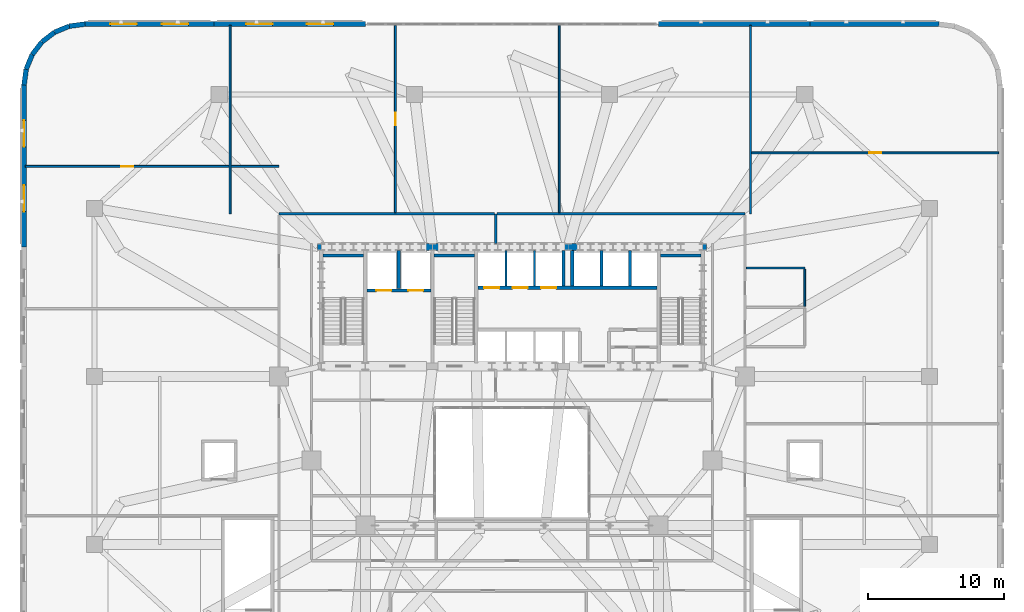
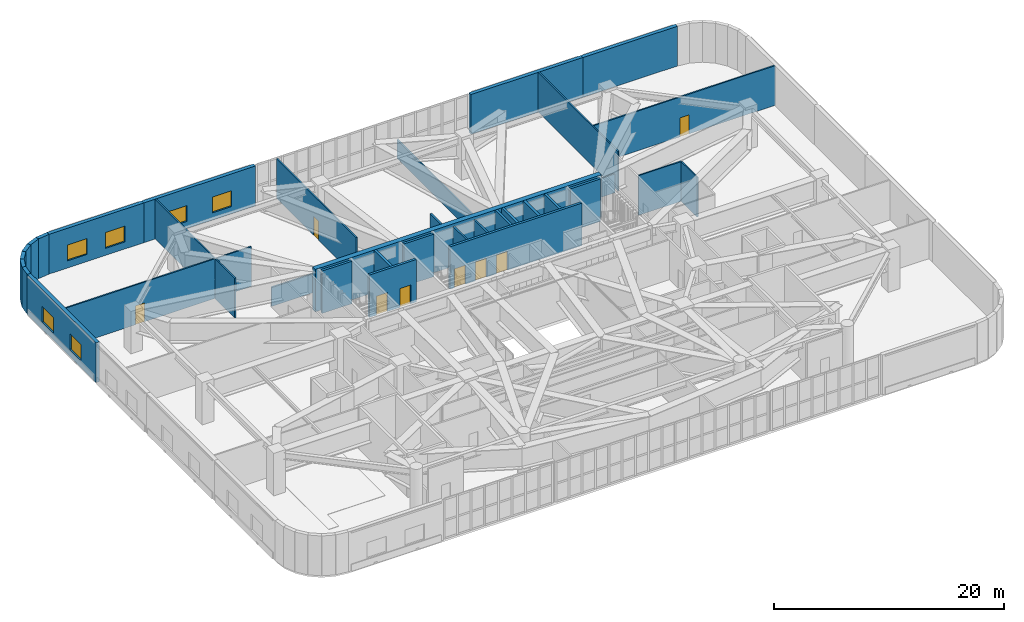
# One storey, part 18 of 26: 36 walls, 8 doors, 6 windows, 14 openings.
"""IFC4 building model written with IfcOpenShell, lengths in metres."""

from ifc_helpers import new_model, si_unit, direction, frame, frame_2d, origin, place, context, subcontext, project, spatial, rectangle, extrude, material, layer, layer_set, type_object, element, fill, save


model = new_model("IFC4")

# Units and contexts
model_context = context("Model", 3, precision=1e-05, world=origin(), true_north=direction((0.0, 1.0)))
body_context = subcontext(model_context, "Body", "Model", "MODEL_VIEW")
ifc_project = project(units=[si_unit("LENGTHUNIT", "METRE"), si_unit("AREAUNIT", "SQUARE_METRE"), si_unit("VOLUMEUNIT", "CUBIC_METRE"), si_unit("PLANEANGLEUNIT", "RADIAN"), si_unit("MASSUNIT", "GRAM", prefix="KILO")], contexts=[model_context])

# Site, building, storey
site_placement = place(None, origin())
site = spatial("IfcSite", under=ifc_project, at=site_placement, CompositionType="ELEMENT")
building_placement = place(site_placement, origin())
building = spatial("IfcBuilding", under=site, at=building_placement, Name="Haldorwick Loom Tower", CompositionType="ELEMENT")
storey_placement = place(building_placement, frame((0.0, 0.0, 19.5)))
storey = spatial("IfcBuildingStorey", under=building, at=storey_placement, Name="L04", CompositionType="ELEMENT", Elevation=19.5)

# Walls
ifc_material_1 = material(Name="Pressed Clay Face Brick and Insulated Masonry Backup Assembly", Category="masonry")
ifc_layer_1 = layer(ifc_material_1, 0.360107421875, Name="Pressed Clay Face Brick and Insulated Masonry Backup Assembly", Category="masonry")
ifc_layer_set_1 = layer_set([ifc_layer_1], Name="Pressed Clay Face Brick and Insulated Masonry Backup Assembly")
wall_type_1 = type_object("IfcWallType", Name="ARC-WL-EXT360", PredefinedType="STANDARD", material=ifc_layer_set_1)
wall_1_placement = place(storey_placement, frame((67.5, 52.0, 0.0), z_axis=(0.0, 0.0, 1.0), x_axis=(-1.0, 0.0, 0.0)))
element("IfcWall", 1, at=wall_1_placement, inside=storey, type_object=wall_type_1, Name="L04 Brick Pier and Spandrel Wall 17", PredefinedType="STANDARD", context=body_context, shape_type="SweptSolid", body=[
    extrude(rectangle(XDim=9.5, YDim=0.360107421875, at=frame_2d((4.75, 0.0))), origin(), (0.0, 0.0, 1.0), 4.219970703125),
])
wall_2_placement = place(storey_placement, frame((58.0, 52.0, 0.0), z_axis=(0.0, 0.0, 1.0), x_axis=(-1.0, 0.0, 0.0)))
element("IfcWall", 2, at=wall_2_placement, inside=storey, type_object=wall_type_1, Name="L04 Brick Pier and Spandrel Wall 18", PredefinedType="STANDARD", context=body_context, shape_type="SweptSolid", body=[
    extrude(rectangle(XDim=11.199951171875, YDim=0.360107421875, at=frame_2d((5.60009765625, 0.0))), origin(), (0.0, 0.0, 1.0), 4.219970703125),
])

# Wall, openings, windows
wall_3_placement = place(storey_placement, frame((25.199951171875, 52.0, 0.0), z_axis=(0.0, 0.0, 1.0), x_axis=(-1.0, 0.0, 0.0)))
wall_3 = element("IfcWall", 3, at=wall_3_placement, inside=storey, type_object=wall_type_1, Name="L04 Brick Pier and Spandrel Wall 20", PredefinedType="STANDARD", context=body_context, shape_type="SweptSolid", body=[
    extrude(rectangle(XDim=11.199951171875, YDim=0.360107421875, at=frame_2d((5.60009765625, 0.0))), origin(), (0.0, 0.0, 1.0), 4.219970703125),
])
opening_1_placement = place(wall_3_placement, frame((2.385009765625, 0.0, 0.75)))
opening_1 = element("IfcOpeningElement", 4, at=opening_1_placement, cuts=wall_3, Name="Opening W-04B", PredefinedType="OPENING", context=body_context, shape_type="SweptSolid", body=[
    extrude(rectangle(XDim=1.949951171875, YDim=1.679931640625, at=frame_2d((0.97509765625, 0.83984375))), frame((0.0, 0.18994140625, 0.0), z_axis=(0.0, -1.0, 0.0), x_axis=(1.0, 0.0, 0.0)), (0.0, 0.0, 1.0), 0.380126953125),
])
opening_2_placement = place(wall_3_placement, frame((6.864990234375, 0.0, 0.75)))
opening_2 = element("IfcOpeningElement", 5, at=opening_2_placement, cuts=wall_3, Name="Opening W-04B", PredefinedType="OPENING", context=body_context, shape_type="SweptSolid", body=[
    extrude(rectangle(XDim=1.949951171875, YDim=1.679931640625, at=frame_2d((0.97509765625, 0.83984375))), frame((0.0, 0.18994140625, 0.0), z_axis=(0.0, -1.0, 0.0), x_axis=(1.0, 0.0, 0.0)), (0.0, 0.0, 1.0), 0.380126953125),
])
ifc_material_2 = material(Name="Triple-Glazed Low-E Argon Insulated Glazing Unit", Category="glass")
window_type = type_object("IfcWindowType", Name="ARC-WIN-W195", PartitioningType="SINGLE_PANEL", PredefinedType="WINDOW", material=ifc_material_2)
window_1_placement = place(opening_1_placement, origin())
window_1 = element("IfcWindow", 6, at=window_1_placement, inside=storey, type_object=window_type, Name="L04 Deep-Set Zone 7A Window 20", OverallHeight=1.679931640625, OverallWidth=1.949951171875, PartitioningType="SINGLE_PANEL", PredefinedType="WINDOW", context=body_context, shape_type="SweptSolid", body=[
    extrude(rectangle(XDim=1.949951171875, YDim=1.679931640625, at=frame_2d((0.97509765625, 0.83984375))), frame((0.0, 0.030029296875, 0.0), z_axis=(0.0, -1.0, 0.0), x_axis=(1.0, 0.0, 0.0)), (0.0, 0.0, 1.0), 0.06005859375),
])
fill(opening_1, window_1)
window_2_placement = place(opening_2_placement, origin())
window_2 = element("IfcWindow", 7, at=window_2_placement, inside=storey, type_object=window_type, Name="L04 Deep-Set Zone 7A Window 20", OverallHeight=1.679931640625, OverallWidth=1.949951171875, PartitioningType="SINGLE_PANEL", PredefinedType="WINDOW", context=body_context, shape_type="SweptSolid", body=[
    extrude(rectangle(XDim=1.949951171875, YDim=1.679931640625, at=frame_2d((0.97509765625, 0.83984375))), frame((0.0, 0.030029296875, 0.0), z_axis=(0.0, -1.0, 0.0), x_axis=(1.0, 0.0, 0.0)), (0.0, 0.0, 1.0), 0.06005859375),
])
fill(opening_2, window_2)

wall_4_placement = place(storey_placement, frame((14.0, 52.0, 0.0), z_axis=(0.0, 0.0, 1.0), x_axis=(-1.0, 0.0, 0.0)))
wall_4 = element("IfcWall", 8, at=wall_4_placement, inside=storey, type_object=wall_type_1, Name="L04 Brick Pier and Spandrel Wall 21", PredefinedType="STANDARD", context=body_context, shape_type="SweptSolid", body=[
    extrude(rectangle(XDim=9.5, YDim=0.360107421875, at=frame_2d((4.75, 0.0))), origin(), (0.0, 0.0, 1.0), 4.219970703125),
])
opening_3_placement = place(wall_4_placement, frame((1.875, 0.0, 0.75)))
opening_3 = element("IfcOpeningElement", 9, at=opening_3_placement, cuts=wall_4, Name="Opening W-04B", PredefinedType="OPENING", context=body_context, shape_type="SweptSolid", body=[
    extrude(rectangle(XDim=1.949951171875, YDim=1.679931640625, at=frame_2d((0.97509765625, 0.83984375))), frame((0.0, 0.18994140625, 0.0), z_axis=(0.0, -1.0, 0.0), x_axis=(1.0, 0.0, 0.0)), (0.0, 0.0, 1.0), 0.380126953125),
])
opening_4_placement = place(wall_4_placement, frame((5.675048828125, 0.0, 0.75)))
opening_4 = element("IfcOpeningElement", 10, at=opening_4_placement, cuts=wall_4, Name="Opening W-04B", PredefinedType="OPENING", context=body_context, shape_type="SweptSolid", body=[
    extrude(rectangle(XDim=1.949951171875, YDim=1.679931640625, at=frame_2d((0.97509765625, 0.83984375))), frame((0.0, 0.18994140625, 0.0), z_axis=(0.0, -1.0, 0.0), x_axis=(1.0, 0.0, 0.0)), (0.0, 0.0, 1.0), 0.380126953125),
])
window_3_placement = place(opening_3_placement, origin())
window_3 = element("IfcWindow", 11, at=window_3_placement, inside=storey, type_object=window_type, Name="L04 Deep-Set Zone 7A Window 21", OverallHeight=1.679931640625, OverallWidth=1.949951171875, PartitioningType="SINGLE_PANEL", PredefinedType="WINDOW", context=body_context, shape_type="SweptSolid", body=[
    extrude(rectangle(XDim=1.949951171875, YDim=1.679931640625, at=frame_2d((0.97509765625, 0.83984375))), frame((0.0, 0.030029296875, 0.0), z_axis=(0.0, -1.0, 0.0), x_axis=(1.0, 0.0, 0.0)), (0.0, 0.0, 1.0), 0.06005859375),
])
fill(opening_3, window_3)
window_4_placement = place(opening_4_placement, origin())
window_4 = element("IfcWindow", 12, at=window_4_placement, inside=storey, type_object=window_type, Name="L04 Deep-Set Zone 7A Window 21", OverallHeight=1.679931640625, OverallWidth=1.949951171875, PartitioningType="SINGLE_PANEL", PredefinedType="WINDOW", context=body_context, shape_type="SweptSolid", body=[
    extrude(rectangle(XDim=1.949951171875, YDim=1.679931640625, at=frame_2d((0.97509765625, 0.83984375))), frame((0.0, 0.030029296875, 0.0), z_axis=(0.0, -1.0, 0.0), x_axis=(1.0, 0.0, 0.0)), (0.0, 0.0, 1.0), 0.06005859375),
])
fill(opening_4, window_4)

# Walls
wall_5_placement = place(storey_placement, frame((4.5, 52.0, 0.0), z_axis=(0.0, 0.0, 1.0), x_axis=(-0.991447928588, -0.130502892298, 0.0)))
element("IfcWall", 13, at=wall_5_placement, inside=storey, type_object=wall_type_1, Name="L04 Brick Pier and Spandrel Wall 22", PredefinedType="STANDARD", context=body_context, shape_type="SweptSolid", body=[
    extrude(rectangle(XDim=1.1748046875, YDim=0.360107421875, at=frame_2d((0.58740234375, 0.0))), origin(), (0.0, 0.0, 1.0), 4.219970703125),
])
wall_6_placement = place(storey_placement, frame((3.335205078125, 51.8466796875, 0.0), z_axis=(0.0, 0.0, 1.0), x_axis=(-0.923892706888, -0.382651625058, 0.0)))
element("IfcWall", 14, at=wall_6_placement, inside=storey, type_object=wall_type_1, Name="L04 Brick Pier and Spandrel Wall 23", PredefinedType="STANDARD", context=body_context, shape_type="SweptSolid", body=[
    extrude(rectangle(XDim=1.174560546875, YDim=0.360107421875, at=frame_2d((0.58740234375, 0.0))), origin(), (0.0, 0.0, 1.0), 4.219970703125),
])
for number, where, z_axis, x_axis, name in (
    (15, (2.25, 51.397216796875, 0.0), (0.0, 0.0, 1.0), (-0.79324162823, -0.60890698735, 0.0), "L04 Brick Pier and Spandrel Wall 24"),
    (16, (1.318115234375, 50.681884765625, 0.0), (0.0, 0.0, 1.0), (-0.60890698735, -0.79324162823, 0.0), "L04 Brick Pier and Spandrel Wall 25"),
):
    element("IfcWall", number, at=place(storey_placement, frame(where, z_axis=z_axis, x_axis=x_axis)), inside=storey, type_object=wall_type_1, Name=name, PredefinedType="STANDARD", context=body_context, shape_type="SweptSolid", body=[
        extrude(rectangle(XDim=1.1748046875, YDim=0.360107421875, at=frame_2d((0.58740234375, 0.0))), origin(), (0.0, 0.0, 1.0), 4.219970703125),
    ])
wall_7_placement = place(storey_placement, frame((0.602783203125, 49.75, 0.0), z_axis=(0.0, 0.0, 1.0), x_axis=(-0.382651625058, -0.923892706888, 0.0)))
element("IfcWall", 17, at=wall_7_placement, inside=storey, type_object=wall_type_1, Name="L04 Brick Pier and Spandrel Wall 26", PredefinedType="STANDARD", context=body_context, shape_type="SweptSolid", body=[
    extrude(rectangle(XDim=1.174560546875, YDim=0.360107421875, at=frame_2d((0.58740234375, 0.0))), origin(), (0.0, 0.0, 1.0), 4.219970703125),
])
wall_8_placement = place(storey_placement, frame((0.1533203125, 48.664794921875, 0.0), z_axis=(0.0, 0.0, 1.0), x_axis=(-0.130502892298, -0.991447928588, 0.0)))
element("IfcWall", 18, at=wall_8_placement, inside=storey, type_object=wall_type_1, Name="L04 Brick Pier and Spandrel Wall 27", PredefinedType="STANDARD", context=body_context, shape_type="SweptSolid", body=[
    extrude(rectangle(XDim=1.1748046875, YDim=0.360107421875, at=frame_2d((0.58740234375, 0.0))), origin(), (0.0, 0.0, 1.0), 4.219970703125),
])

# Wall, openings, windows
wall_9_placement = place(storey_placement, frame((0.0, 47.5, 0.0), z_axis=(0.0, 0.0, 1.0), x_axis=(0.0, -1.0, 0.0)))
wall_9 = element("IfcWall", 19, at=wall_9_placement, inside=storey, type_object=wall_type_1, Name="L04 Brick Pier and Spandrel Wall 28", PredefinedType="STANDARD", context=body_context, shape_type="SweptSolid", body=[
    extrude(rectangle(XDim=11.949951171875, YDim=0.360107421875, at=frame_2d((5.97509765625, 0.0))), origin(), (0.0, 0.0, 1.0), 4.219970703125),
])
opening_5_placement = place(wall_9_placement, frame((2.610107421875, 0.0, 0.75)))
opening_5 = element("IfcOpeningElement", 20, at=opening_5_placement, cuts=wall_9, Name="Opening W-04B", PredefinedType="OPENING", context=body_context, shape_type="SweptSolid", body=[
    extrude(rectangle(XDim=1.949951171875, YDim=1.679931640625, at=frame_2d((0.97509765625, 0.83984375))), frame((0.0, 0.18994140625, 0.0), z_axis=(0.0, -1.0, 0.0), x_axis=(1.0, 0.0, 0.0)), (0.0, 0.0, 1.0), 0.380126953125),
])
opening_6_placement = place(wall_9_placement, frame((7.389892578125, 0.0, 0.75)))
opening_6 = element("IfcOpeningElement", 21, at=opening_6_placement, cuts=wall_9, Name="Opening W-04B", PredefinedType="OPENING", context=body_context, shape_type="SweptSolid", body=[
    extrude(rectangle(XDim=1.949951171875, YDim=1.679931640625, at=frame_2d((0.97509765625, 0.83984375))), frame((0.0, 0.18994140625, 0.0), z_axis=(0.0, -1.0, 0.0), x_axis=(1.0, 0.0, 0.0)), (0.0, 0.0, 1.0), 0.380126953125),
])
window_5_placement = place(opening_5_placement, origin())
window_5 = element("IfcWindow", 22, at=window_5_placement, inside=storey, type_object=window_type, Name="L04 Deep-Set Zone 7A Window 28", OverallHeight=1.679931640625, OverallWidth=1.949951171875, PartitioningType="SINGLE_PANEL", PredefinedType="WINDOW", context=body_context, shape_type="SweptSolid", body=[
    extrude(rectangle(XDim=1.949951171875, YDim=1.679931640625, at=frame_2d((0.97509765625, 0.83984375))), frame((0.0, 0.030029296875, 0.0), z_axis=(0.0, -1.0, 0.0), x_axis=(1.0, 0.0, 0.0)), (0.0, 0.0, 1.0), 0.06005859375),
])
fill(opening_5, window_5)
window_6_placement = place(opening_6_placement, origin())
window_6 = element("IfcWindow", 23, at=window_6_placement, inside=storey, type_object=window_type, Name="L04 Deep-Set Zone 7A Window 28", OverallHeight=1.679931640625, OverallWidth=1.949951171875, PartitioningType="SINGLE_PANEL", PredefinedType="WINDOW", context=body_context, shape_type="SweptSolid", body=[
    extrude(rectangle(XDim=1.949951171875, YDim=1.679931640625, at=frame_2d((0.97509765625, 0.83984375))), frame((0.0, 0.030029296875, 0.0), z_axis=(0.0, -1.0, 0.0), x_axis=(1.0, 0.0, 0.0)), (0.0, 0.0, 1.0), 0.06005859375),
])
fill(opening_6, window_6)

# Walls
ifc_material_3 = material(Name="Fire-Rated Type X Gypsum Stud Assembly EI 60")
ifc_layer_2 = layer(ifc_material_3, 0.159912109375, Name="Fire-Rated Type X Gypsum Stud Assembly EI 60")
ifc_layer_set_2 = layer_set([ifc_layer_2], Name="Fire-Rated Type X Gypsum Stud Assembly EI 60")
wall_type_2 = type_object("IfcWallType", Name="ARC-WL-FIRE160", PredefinedType="PARTITIONING", material=ifc_layer_set_2)
wall_10_placement = place(storey_placement, frame((34.800048828125, 35.802978515625, 0.0), z_axis=(0.0, 0.0, 1.0), x_axis=(0.0, 1.0, 0.0)))
element("IfcWall", 24, at=wall_10_placement, inside=storey, type_object=wall_type_2, Name="L04 Podium Partition L04-CCN", PredefinedType="PARTITIONING", context=body_context, shape_type="SweptSolid", body=[
    extrude(rectangle(XDim=2.197021484375, YDim=0.159912109375, at=frame_2d((1.0986328125, 0.0))), origin(), (0.0, 0.0, 1.0), 4.205078125),
])
wall_11_placement = place(storey_placement, frame((18.800048828125, 38.0, 0.0), z_axis=(0.0, 0.0, 1.0), x_axis=(1.0, 0.0, 0.0)))
element("IfcWall", 25, at=wall_11_placement, inside=storey, type_object=wall_type_2, Name="L04 Podium Partition L04-CN0", PredefinedType="PARTITIONING", context=body_context, shape_type="SweptSolid", body=[
    extrude(rectangle(XDim=15.9169921875, YDim=0.159912109375, at=frame_2d((7.95849609375, 0.0))), origin(), (0.0, 0.0, 1.0), 1.9951171875),
])
wall_12_placement = place(storey_placement, frame((34.883056640625, 38.0, 0.0), z_axis=(0.0, 0.0, 1.0), x_axis=(1.0, 0.0, 0.0)))
element("IfcWall", 26, at=wall_12_placement, inside=storey, type_object=wall_type_2, Name="L04 Podium Partition L04-CN0", PredefinedType="PARTITIONING", context=body_context, shape_type="SweptSolid", body=[
    extrude(rectangle(XDim=18.31689453125, YDim=0.159912109375, at=frame_2d((9.158447265625, 0.0))), origin(), (0.0, 0.0, 1.0), 1.9951171875),
])
ifc_layer_3 = layer(ifc_material_3, 0.139892578125, Name="Fire-Rated Type X Gypsum Stud Assembly EI 60")
ifc_layer_set_3 = layer_set([ifc_layer_3], Name="Fire-Rated Type X Gypsum Stud Assembly EI 60")
wall_type_3 = type_object("IfcWallType", Name="ARC-WL-PART140", PredefinedType="PARTITIONING", material=ifc_layer_set_3)
wall_13_placement = place(storey_placement, frame((53.282958984375, 34.0, 0.0), z_axis=(0.0, 0.0, 1.0), x_axis=(1.0, 0.0, 0.0)))
element("IfcWall", 27, at=wall_13_placement, inside=storey, type_object=wall_type_3, Name="L04 Podium Partition L04-WC3", PredefinedType="PARTITIONING", context=body_context, shape_type="SweptSolid", body=[
    extrude(rectangle(XDim=4.317138671875, YDim=0.139892578125, at=frame_2d((2.15869140625, 0.0))), origin(), (0.0, 0.0, 1.0), 4.205078125),
])
wall_14_placement = place(storey_placement, frame((57.60009765625, 31.173095703125, 0.0), z_axis=(0.0, 0.0, 1.0), x_axis=(0.0, 1.0, 0.0)))
element("IfcWall", 28, at=wall_14_placement, inside=storey, type_object=wall_type_3, Name="L04 Podium Partition L04-WC4", PredefinedType="PARTITIONING", context=body_context, shape_type="SweptSolid", body=[
    extrude(rectangle(XDim=2.75390625, YDim=0.139892578125, at=frame_2d((1.376953125, 0.0))), origin(), (0.0, 0.0, 1.0), 4.205078125),
])
wall_15_placement = place(storey_placement, frame((15.199951171875, 38.0, 0.0), z_axis=(0.0, 0.0, 1.0), x_axis=(0.0, 1.0, 0.0)))
element("IfcWall", 29, at=wall_15_placement, inside=storey, type_object=wall_type_3, Name="L04 Podium Partition L04-PN-0", PredefinedType="PARTITIONING", context=body_context, shape_type="SweptSolid", body=[
    extrude(rectangle(XDim=13.89990234375, YDim=0.139892578125, at=frame_2d((6.949951171875, 0.0))), origin(), (0.0, 0.0, 1.0), 4.205078125),
])

# Wall, opening, door
wall_16_placement = place(storey_placement, frame((27.39990234375, 38.0830078125, 0.0), z_axis=(0.0, 0.0, 1.0), x_axis=(0.0, 1.0, 0.0)))
wall_16 = element("IfcWall", 30, at=wall_16_placement, inside=storey, type_object=wall_type_3, Name="L04 Podium Partition L04-PN-1", PredefinedType="PARTITIONING", context=body_context, shape_type="SweptSolid", body=[
    extrude(rectangle(XDim=13.81689453125, YDim=0.139892578125, at=frame_2d((6.908447265625, 0.0))), origin(), (0.0, 0.0, 1.0), 4.205078125),
])
opening_7_placement = place(wall_16_placement, frame((6.468505859375, 0.0, 0.0)))
opening_7 = element("IfcOpeningElement", 31, at=opening_7_placement, cuts=wall_16, Name="Opening D-FD60A", PredefinedType="OPENING", context=body_context, shape_type="SweptSolid", body=[
    extrude(rectangle(XDim=0.89990234375, YDim=2.0, at=frame_2d((0.449951171875, 1.0))), frame((0.0, 0.079833984375, 0.0), z_axis=(0.0, -1.0, 0.0), x_axis=(1.0, 0.0, 0.0)), (0.0, 0.0, 1.0), 0.159912109375),
])
ifc_material_4 = material(Name="Hollow Steel Fire Door Assembly", Category="steel")
door_type_1 = type_object("IfcDoorType", Name="ARC-DR-FD60-90", OperationType="NOTDEFINED", PredefinedType="DOOR", material=ifc_material_4)
door_1_placement = place(opening_7_placement, origin())
door_1 = element("IfcDoor", 32, at=door_1_placement, inside=storey, type_object=door_type_1, Name="L04 Senior Day Health Hall 21 to Health Program Office 22 Door", OperationType="SINGLE_SWING_RIGHT", OverallHeight=2.0, OverallWidth=0.89990234375, PredefinedType="DOOR", context=body_context, shape_type="SweptSolid", body=[
    extrude(rectangle(XDim=0.89990234375, YDim=2.0, at=frame_2d((0.449951171875, 1.0))), frame((0.0, 0.02490234375, 0.0), z_axis=(0.0, -1.0, 0.0), x_axis=(1.0, 0.0, 0.0)), (0.0, 0.0, 1.0), 0.050048828125),
])
fill(opening_7, door_1)

# Walls
wall_17_placement = place(storey_placement, frame((39.48388671875, 38.0830078125, 0.0), z_axis=(0.0, 0.0, 1.0), x_axis=(0.0, 1.0, 0.0)))
element("IfcWall", 33, at=wall_17_placement, inside=storey, type_object=wall_type_3, Name="L04 Podium Partition L04-PN-2", PredefinedType="PARTITIONING", context=body_context, shape_type="SweptSolid", body=[
    extrude(rectangle(XDim=13.81689453125, YDim=0.139892578125, at=frame_2d((6.908447265625, 0.0))), origin(), (0.0, 0.0, 1.0), 1.9951171875),
])
wall_18_placement = place(storey_placement, frame((53.60009765625, 38.0, 0.0), z_axis=(0.0, 0.0, 1.0), x_axis=(0.0, 1.0, 0.0)))
element("IfcWall", 34, at=wall_18_placement, inside=storey, type_object=wall_type_3, Name="L04 Podium Partition L04-PN-3", PredefinedType="PARTITIONING", context=body_context, shape_type="SweptSolid", body=[
    extrude(rectangle(XDim=13.89990234375, YDim=0.139892578125, at=frame_2d((6.949951171875, 0.0))), origin(), (0.0, 0.0, 1.0), 4.205078125),
])

# Wall, opening, door
wall_19_placement = place(storey_placement, frame((0.10009765625, 41.5, 0.0), z_axis=(0.0, 0.0, 1.0), x_axis=(1.0, 0.0, 0.0)))
wall_19 = element("IfcWall", 35, at=wall_19_placement, inside=storey, type_object=wall_type_3, Name="L04 Podium Partition L04-PW-2", PredefinedType="PARTITIONING", context=body_context, shape_type="SweptSolid", body=[
    extrude(rectangle(XDim=15.02685546875, YDim=0.139892578125, at=frame_2d((7.513427734375, 0.0))), origin(), (0.0, 0.0, 1.0), 4.205078125),
])
opening_8_placement = place(wall_19_placement, frame((7.073486328125, 0.0, 0.0)))
opening_8 = element("IfcOpeningElement", 36, at=opening_8_placement, cuts=wall_19, Name="Opening D-FD60A", PredefinedType="OPENING", context=body_context, shape_type="SweptSolid", body=[
    extrude(rectangle(XDim=0.89990234375, YDim=2.0, at=frame_2d((0.449951171875, 1.0))), frame((0.0, 0.079833984375, 0.0), z_axis=(0.0, -1.0, 0.0), x_axis=(1.0, 0.0, 0.0)), (0.0, 0.0, 1.0), 0.159912109375),
])
door_2_placement = place(opening_8_placement, frame((0.89990234375, 0.0, 0.0), z_axis=(0.0, 0.0, 1.0), x_axis=(-1.0, 0.0, 0.0)))
door_2 = element("IfcDoor", 37, at=door_2_placement, inside=storey, type_object=door_type_1, Name="L04 Board Conference Room 23 to Senior Day Health Hall 21 Door", OperationType="SINGLE_SWING_LEFT", OverallHeight=2.0, OverallWidth=0.89990234375, PredefinedType="DOOR", context=body_context, shape_type="SweptSolid", body=[
    extrude(rectangle(XDim=0.89990234375, YDim=2.0, at=frame_2d((0.449951171875, 1.0))), frame((0.0, 0.02490234375, 0.0), z_axis=(0.0, -1.0, 0.0), x_axis=(1.0, 0.0, 0.0)), (0.0, 0.0, 1.0), 0.050048828125),
])
fill(opening_8, door_2)

# Wall
wall_20_placement = place(storey_placement, frame((15.27294921875, 41.5, 0.0), z_axis=(0.0, 0.0, 1.0), x_axis=(1.0, 0.0, 0.0)))
element("IfcWall", 38, at=wall_20_placement, inside=storey, type_object=wall_type_3, Name="L04 Podium Partition L04-PW-2", PredefinedType="PARTITIONING", context=body_context, shape_type="SweptSolid", body=[
    extrude(rectangle(XDim=3.527099609375, YDim=0.139892578125, at=frame_2d((1.763671875, 0.0))), origin(), (0.0, 0.0, 1.0), 4.205078125),
])

# Wall, opening, door
wall_21_placement = place(storey_placement, frame((53.673095703125, 42.5, 0.0), z_axis=(0.0, 0.0, 1.0), x_axis=(1.0, 0.0, 0.0)))
wall_21 = element("IfcWall", 39, at=wall_21_placement, inside=storey, type_object=wall_type_3, Name="L04 Podium Partition L04-PE-2", PredefinedType="PARTITIONING", context=body_context, shape_type="SweptSolid", body=[
    extrude(rectangle(XDim=18.226806640625, YDim=0.139892578125, at=frame_2d((9.11328125, 0.0))), origin(), (0.0, 0.0, 1.0), 4.205078125),
])
opening_9_placement = place(wall_21_placement, frame((8.673583984375, 0.0, 0.0)))
opening_9 = element("IfcOpeningElement", 40, at=opening_9_placement, cuts=wall_21, Name="Opening D-FD60A", PredefinedType="OPENING", context=body_context, shape_type="SweptSolid", body=[
    extrude(rectangle(XDim=0.89990234375, YDim=2.0, at=frame_2d((0.449951171875, 1.0))), frame((0.0, 0.079833984375, 0.0), z_axis=(0.0, -1.0, 0.0), x_axis=(1.0, 0.0, 0.0)), (0.0, 0.0, 1.0), 0.159912109375),
])
door_3_placement = place(opening_9_placement, frame((0.89990234375, 0.0, 0.0), z_axis=(0.0, 0.0, 1.0), x_axis=(-1.0, 0.0, 0.0)))
door_3 = element("IfcDoor", 41, at=door_3_placement, inside=storey, type_object=door_type_1, Name="L04 Medical Archive Store 24 to Medical Archive Store 20 Door", OperationType="SINGLE_SWING_RIGHT", OverallHeight=2.0, OverallWidth=0.89990234375, PredefinedType="DOOR", context=body_context, shape_type="SweptSolid", body=[
    extrude(rectangle(XDim=0.89990234375, YDim=2.0, at=frame_2d((0.449951171875, 1.0))), frame((0.0, 0.02490234375, 0.0), z_axis=(0.0, -1.0, 0.0), x_axis=(1.0, 0.0, 0.0)), (0.0, 0.0, 1.0), 0.050048828125),
])
fill(opening_9, door_3)

# Walls
ifc_material_5 = material(Name="Fire-Rated Type X Gypsum Stud Assembly EI 120")
ifc_layer_4 = layer(ifc_material_5, 0.1650390625, Name="Fire-Rated Type X Gypsum Stud Assembly EI 120")
ifc_layer_set_4 = layer_set([ifc_layer_4], Name="Fire-Rated Type X Gypsum Stud Assembly EI 120")
wall_type_4 = type_object("IfcWallType", Name="ARC-WL-SHAFT160", PredefinedType="MOVABLE", material=ifc_layer_set_4)
for number, where, z_axis, x_axis, name in (
    (42, (35.550048828125, 32.673095703125, 0.0), (0.0, 0.0, 1.0), (0.0, 1.0, 0.0), "L04 Low-Rise Hoistway Divider 1"),
    (43, (37.64990234375, 32.673095703125, 0.0), (0.0, 0.0, 1.0), (0.0, 1.0, 0.0), "L04 Low-Rise Hoistway Divider 2"),
):
    element("IfcWall", number, at=place(storey_placement, frame(where, z_axis=z_axis, x_axis=x_axis)), inside=storey, type_object=wall_type_4, Name=name, PredefinedType="MOVABLE", context=body_context, shape_type="SweptSolid", body=[
        extrude(rectangle(XDim=2.6240234375, YDim=0.159912109375, at=frame_2d((1.31201171875, 0.0))), origin(), (0.0, 0.0, 1.0), 4.205078125),
    ])
ifc_material_6 = material(Name="Concrete C60 (60 MPa)", Category="concrete")
ifc_layer_5 = layer(ifc_material_6, 0.5, Name="Concrete C60 (60 MPa)", Category="concrete")
ifc_layer_set_5 = layer_set([ifc_layer_5], Name="Concrete C60 (60 MPa)")
wall_type_5 = type_object("IfcWallType", Name="STR-WL-CORE500", PredefinedType="SHEAR", material=ifc_layer_set_5)
wall_22_placement = place(storey_placement, frame((50.35009765625, 35.550048828125, 0.0), z_axis=(0.0, 0.0, 1.0), x_axis=(-1.0, 0.0, 0.0)))
element("IfcWall", 44, at=wall_22_placement, inside=storey, type_object=wall_type_5, Name="L04 Core Shear Wall N", PredefinedType="SHEAR", context=body_context, shape_type="SweptSolid", body=[
    extrude(rectangle(XDim=28.7001953125, YDim=0.5, at=frame_2d((14.35009765625, 0.0))), origin(), (0.0, 0.0, 1.0), 4.5),
])
ifc_material_7 = material(Name="Concrete C50 (50 MPa)", Category="concrete")
ifc_layer_6 = layer(ifc_material_7, 0.239990234375, Name="Concrete C50 (50 MPa)", Category="concrete")
ifc_layer_set_6 = layer_set([ifc_layer_6], Name="Concrete C50 (50 MPa)")
wall_type_6 = type_object("IfcWallType", Name="STR-WL-SHAFT240", PredefinedType="SHEAR", material=ifc_layer_set_6)
for number, where, z_axis, x_axis, name in (
    (45, (22.052978515625, 34.919921875, 0.0), (0.0, 0.0, 1.0), (1.0, 0.0, 0.0), "L04 Core Shear Wall 1N"),
    (46, (30.2529296875, 34.919921875, 0.0), (0.0, 0.0, 1.0), (1.0, 0.0, 0.0), "L04 Core Shear Wall 3N"),
    (47, (46.952880859375, 34.919921875, 0.0), (0.0, 0.0, 1.0), (1.0, 0.0, 0.0), "L04 Core Shear Wall 4N"),
):
    element("IfcWall", number, at=place(storey_placement, frame(where, z_axis=z_axis, x_axis=x_axis)), inside=storey, type_object=wall_type_6, Name=name, PredefinedType="SHEAR", context=body_context, shape_type="SweptSolid", body=[
        extrude(rectangle(XDim=2.994140625, YDim=0.239990234375, at=frame_2d((1.4970703125, 0.0))), origin(), (0.0, 0.0, 1.0), 4.5),
    ])

# Wall, openings, doors
wall_23_placement = place(storey_placement, frame((25.29296875, 32.35009765625, 0.0), z_axis=(0.0, 0.0, 1.0), x_axis=(1.0, 0.0, 0.0)))
wall_23 = element("IfcWall", 48, at=wall_23_placement, inside=storey, type_object=wall_type_6, Name="L04 Core Shear Wall FF", PredefinedType="SHEAR", context=body_context, shape_type="SweptSolid", body=[
    extrude(rectangle(XDim=4.714111328125, YDim=0.239990234375, at=frame_2d((2.35693359375, 0.0))), origin(), (0.0, 0.0, 1.0), 4.5),
])
opening_10_placement = place(wall_23_placement, frame((0.70703125, 0.0, 0.0)))
opening_10 = element("IfcOpeningElement", 49, at=opening_10_placement, cuts=wall_23, Name="Opening LD-FF1", PredefinedType="OPENING", context=body_context, shape_type="SweptSolid", body=[
    extrude(rectangle(XDim=1.10009765625, YDim=2.0, at=frame_2d((0.550048828125, 1.0))), frame((0.0, 0.1298828125, 0.0), z_axis=(0.0, -1.0, 0.0), x_axis=(1.0, 0.0, 0.0)), (0.0, 0.0, 1.0), 0.260009765625),
])
opening_11_placement = place(wall_23_placement, frame((3.056884765625, 0.0, 0.0)))
opening_11 = element("IfcOpeningElement", 50, at=opening_11_placement, cuts=wall_23, Name="Opening LD-FF2", PredefinedType="OPENING", context=body_context, shape_type="SweptSolid", body=[
    extrude(rectangle(XDim=1.10009765625, YDim=2.0, at=frame_2d((0.550048828125, 1.0))), frame((0.0, 0.1298828125, 0.0), z_axis=(0.0, -1.0, 0.0), x_axis=(1.0, 0.0, 0.0)), (0.0, 0.0, 1.0), 0.260009765625),
])
door_type_2 = type_object("IfcDoorType", Name="ARC-DR-LD-FF", OperationType="NOTDEFINED", PredefinedType="USERDEFINED", material=ifc_material_4)
door_4_placement = place(opening_10_placement, origin())
door_4 = element("IfcDoor", 51, at=door_4_placement, inside=storey, type_object=door_type_2, Name="L04 Lift LF-FF1 Sliding Landing Door", ObjectType="LANDING DOOR", OperationType="DOUBLE_DOOR_SLIDING", OverallHeight=2.0, OverallWidth=1.10009765625, PredefinedType="USERDEFINED", context=body_context, shape_type="SweptSolid", body=[
    extrude(rectangle(XDim=1.10009765625, YDim=2.0, at=frame_2d((0.550048828125, 1.0))), frame((0.0, 0.02490234375, 0.0), z_axis=(0.0, -1.0, 0.0), x_axis=(1.0, 0.0, 0.0)), (0.0, 0.0, 1.0), 0.050048828125),
])
fill(opening_10, door_4)
door_5_placement = place(opening_11_placement, origin())
door_5 = element("IfcDoor", 52, at=door_5_placement, inside=storey, type_object=door_type_2, Name="L04 Lift LF-FF2 Sliding Landing Door", ObjectType="LANDING DOOR", OperationType="DOUBLE_DOOR_SLIDING", OverallHeight=2.0, OverallWidth=1.10009765625, PredefinedType="USERDEFINED", context=body_context, shape_type="SweptSolid", body=[
    extrude(rectangle(XDim=1.10009765625, YDim=2.0, at=frame_2d((0.550048828125, 1.0))), frame((0.0, 0.02490234375, 0.0), z_axis=(0.0, -1.0, 0.0), x_axis=(1.0, 0.0, 0.0)), (0.0, 0.0, 1.0), 0.050048828125),
])
fill(opening_11, door_5)

# Wall
wall_24_placement = place(storey_placement, frame((27.64990234375, 32.472900390625, 0.0), z_axis=(0.0, 0.0, 1.0), x_axis=(0.0, 1.0, 0.0)))
element("IfcWall", 53, at=wall_24_placement, inside=storey, type_object=wall_type_6, Name="L04 Core Shear Wall FFD", PredefinedType="SHEAR", context=body_context, shape_type="SweptSolid", body=[
    extrude(rectangle(XDim=2.82421875, YDim=0.239990234375, at=frame_2d((1.412109375, 0.0))), origin(), (0.0, 0.0, 1.0), 4.5),
])

# Wall, openings, doors
wall_25_placement = place(storey_placement, frame((33.492919921875, 32.550048828125, 0.0), z_axis=(0.0, 0.0, 1.0), x_axis=(1.0, 0.0, 0.0)))
wall_25 = element("IfcWall", 54, at=wall_25_placement, inside=storey, type_object=wall_type_6, Name="L04 Core Shear Wall LN", PredefinedType="SHEAR", context=body_context, shape_type="SweptSolid", body=[
    extrude(rectangle(XDim=13.214111328125, YDim=0.239990234375, at=frame_2d((6.60693359375, 0.0))), origin(), (0.0, 0.0, 1.0), 4.5),
])
opening_12_placement = place(wall_25_placement, frame((0.447021484375, 0.0, 0.0)))
opening_12 = element("IfcOpeningElement", 55, at=opening_12_placement, cuts=wall_25, Name="Opening LD-L1", PredefinedType="OPENING", context=body_context, shape_type="SweptSolid", body=[
    extrude(rectangle(XDim=1.1201171875, YDim=2.0, at=frame_2d((0.56005859375, 1.0))), frame((0.0, 0.1298828125, 0.0), z_axis=(0.0, -1.0, 0.0), x_axis=(1.0, 0.0, 0.0)), (0.0, 0.0, 1.0), 0.260009765625),
])
opening_13_placement = place(wall_25_placement, frame((2.547119140625, 0.0, 0.0)))
opening_13 = element("IfcOpeningElement", 56, at=opening_13_placement, cuts=wall_25, Name="Opening LD-L2", PredefinedType="OPENING", context=body_context, shape_type="SweptSolid", body=[
    extrude(rectangle(XDim=1.1201171875, YDim=2.0, at=frame_2d((0.56005859375, 1.0))), frame((0.0, 0.1298828125, 0.0), z_axis=(0.0, -1.0, 0.0), x_axis=(1.0, 0.0, 0.0)), (0.0, 0.0, 1.0), 0.260009765625),
])
opening_14_placement = place(wall_25_placement, frame((4.64697265625, 0.0, 0.0)))
opening_14 = element("IfcOpeningElement", 57, at=opening_14_placement, cuts=wall_25, Name="Opening LD-L3", PredefinedType="OPENING", context=body_context, shape_type="SweptSolid", body=[
    extrude(rectangle(XDim=1.1201171875, YDim=2.0, at=frame_2d((0.56005859375, 1.0))), frame((0.0, 0.1298828125, 0.0), z_axis=(0.0, -1.0, 0.0), x_axis=(1.0, 0.0, 0.0)), (0.0, 0.0, 1.0), 0.260009765625),
])
door_type_3 = type_object("IfcDoorType", Name="ARC-DR-LD-PAX", OperationType="NOTDEFINED", PredefinedType="USERDEFINED", material=ifc_material_4)
door_6_placement = place(opening_12_placement, origin())
door_6 = element("IfcDoor", 58, at=door_6_placement, inside=storey, type_object=door_type_3, Name="L04 Lift LF-L1 Sliding Landing Door", ObjectType="LANDING DOOR", OperationType="DOUBLE_DOOR_SLIDING", OverallHeight=2.0, OverallWidth=1.1201171875, PredefinedType="USERDEFINED", context=body_context, shape_type="SweptSolid", body=[
    extrude(rectangle(XDim=1.1201171875, YDim=2.0, at=frame_2d((0.56005859375, 1.0))), frame((0.0, 0.02490234375, 0.0), z_axis=(0.0, -1.0, 0.0), x_axis=(1.0, 0.0, 0.0)), (0.0, 0.0, 1.0), 0.050048828125),
])
fill(opening_12, door_6)
door_7_placement = place(opening_13_placement, origin())
door_7 = element("IfcDoor", 59, at=door_7_placement, inside=storey, type_object=door_type_3, Name="L04 Lift LF-L2 Sliding Landing Door", ObjectType="LANDING DOOR", OperationType="DOUBLE_DOOR_SLIDING", OverallHeight=2.0, OverallWidth=1.1201171875, PredefinedType="USERDEFINED", context=body_context, shape_type="SweptSolid", body=[
    extrude(rectangle(XDim=1.1201171875, YDim=2.0, at=frame_2d((0.56005859375, 1.0))), frame((0.0, 0.02490234375, 0.0), z_axis=(0.0, -1.0, 0.0), x_axis=(1.0, 0.0, 0.0)), (0.0, 0.0, 1.0), 0.050048828125),
])
fill(opening_13, door_7)
door_8_placement = place(opening_14_placement, origin())
door_8 = element("IfcDoor", 60, at=door_8_placement, inside=storey, type_object=door_type_3, Name="L04 Lift LF-L3 Sliding Landing Door", ObjectType="LANDING DOOR", OperationType="DOUBLE_DOOR_SLIDING", OverallHeight=2.0, OverallWidth=1.1201171875, PredefinedType="USERDEFINED", context=body_context, shape_type="SweptSolid", body=[
    extrude(rectangle(XDim=1.1201171875, YDim=2.0, at=frame_2d((0.56005859375, 1.0))), frame((0.0, 0.02490234375, 0.0), z_axis=(0.0, -1.0, 0.0), x_axis=(1.0, 0.0, 0.0)), (0.0, 0.0, 1.0), 0.050048828125),
])
fill(opening_14, door_8)

# Walls
for number, where, z_axis, x_axis, name in (
    (61, (39.800048828125, 32.673095703125, 0.0), (0.0, 0.0, 1.0), (0.0, 1.0, 0.0), "L04 Core Shear Wall LHW"),
    (62, (40.449951171875, 32.673095703125, 0.0), (0.0, 0.0, 1.0), (0.0, 1.0, 0.0), "L04 Core Shear Wall H0"),
    (63, (42.60009765625, 32.673095703125, 0.0), (0.0, 0.0, 1.0), (0.0, 1.0, 0.0), "L04 Core Shear Wall H1"),
    (64, (44.699951171875, 32.673095703125, 0.0), (0.0, 0.0, 1.0), (0.0, 1.0, 0.0), "L04 Core Shear Wall H2"),
):
    element("IfcWall", number, at=place(storey_placement, frame(where, z_axis=z_axis, x_axis=x_axis)), inside=storey, type_object=wall_type_6, Name=name, PredefinedType="SHEAR", context=body_context, shape_type="SweptSolid", body=[
        extrude(rectangle(XDim=2.6240234375, YDim=0.239990234375, at=frame_2d((1.31201171875, 0.0))), origin(), (0.0, 0.0, 1.0), 4.5),
    ])

save(model, "model.ifc")
